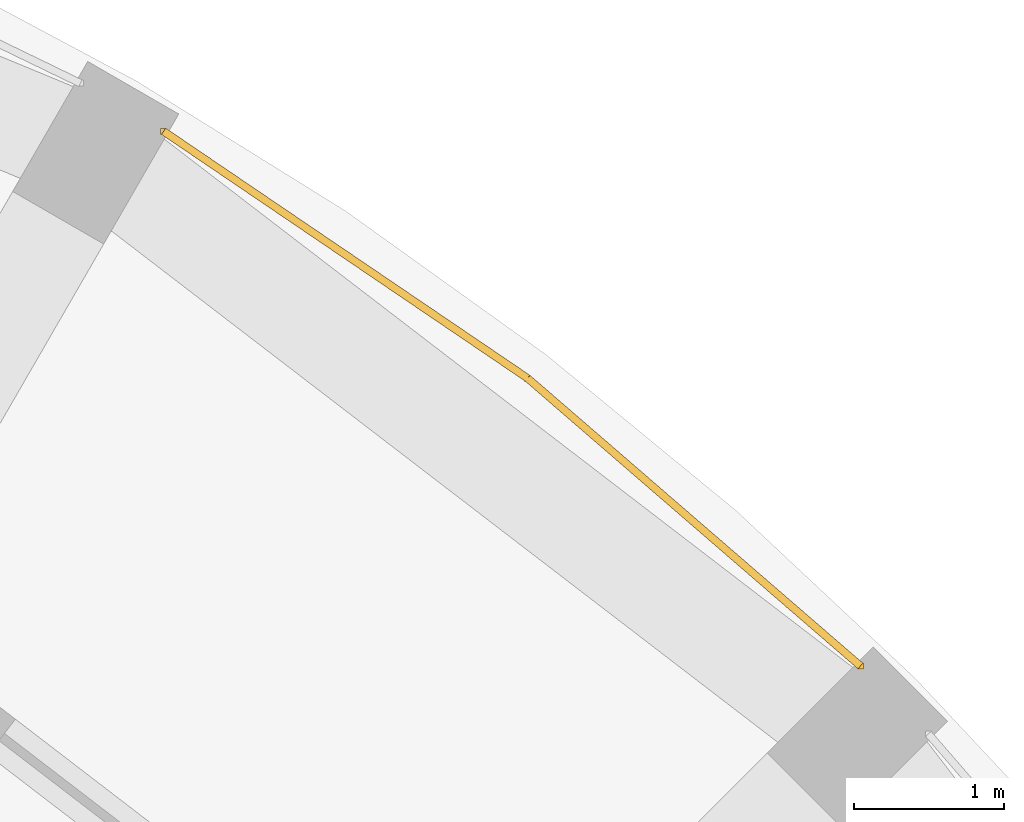
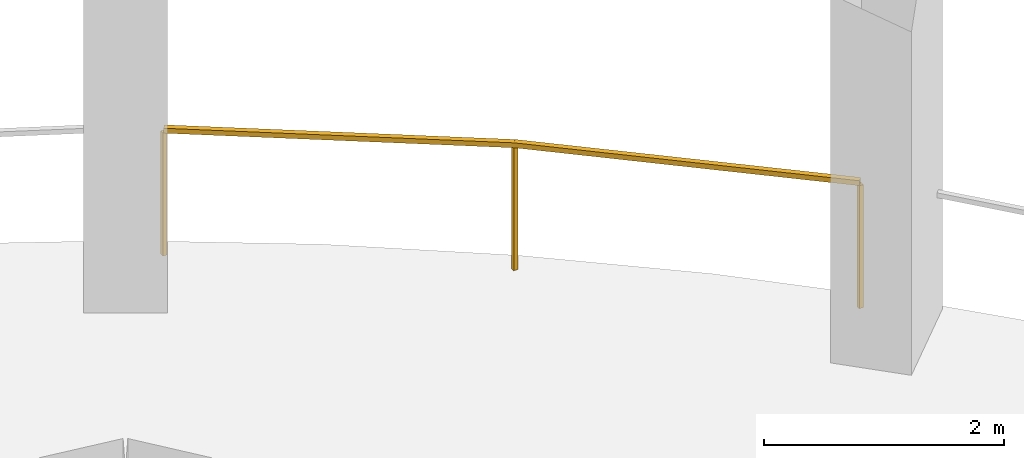
# One storey, part 8 of 8: 1 railing.
"""IFC4 building model written with IfcOpenShell, lengths in metres."""

from ifc_helpers import new_model, si_unit, direction, frame, origin, origin_2d, place, context, subcontext, project, spatial, rectangle, extrude, material, type_object, element, save


model = new_model("IFC4")

# Units and contexts
model_context = context("Model", 3, precision=1e-05, world=origin(), true_north=direction((0.0, 1.0)))
body_context = subcontext(model_context, "Body", "Model", "MODEL_VIEW")
ifc_project = project(units=[si_unit("LENGTHUNIT", "METRE"), si_unit("AREAUNIT", "SQUARE_METRE"), si_unit("VOLUMEUNIT", "CUBIC_METRE"), si_unit("PLANEANGLEUNIT", "RADIAN"), si_unit("MASSUNIT", "GRAM", prefix="KILO")], contexts=[model_context])

# Site, building, storey
site_placement = place(None, origin())
site = spatial("IfcSite", under=ifc_project, at=site_placement, CompositionType="ELEMENT")
building_placement = place(site_placement, origin())
building = spatial("IfcBuilding", under=site, at=building_placement, Name="Torre Triforio", CompositionType="ELEMENT")
storey_placement = place(building_placement, frame((0.0, 0.0, 142.800048828125)))
storey = spatial("IfcBuildingStorey", under=building, at=storey_placement, Name="L32", CompositionType="ELEMENT", Elevation=142.800048828125)

# Railing
ifc_material = material(Name="Stainless steel AISI 316", Category="steel")
railing_type = type_object("IfcRailingType", Name="Loggia guard 1300", PredefinedType="GUARDRAIL", material=ifc_material)
railing_placement = place(storey_placement, frame((17.34521484375, 17.7978515625, 0.0)))
element("IfcRailing", 1, at=railing_placement, inside=storey, type_object=railing_type, Name="Loggia guard L32 bay 04", PredefinedType="GUARDRAIL", context=body_context, shape_type="SweptSolid", body=[
    extrude(rectangle(XDim=0.050048828125, YDim=0.050048828125, at=origin_2d()), frame((0.0, 0.0, 1.27490234375), z_axis=(-0.756510170049, 0.653981928353, 0.0), x_axis=(-0.653981928353, -0.756510170049, 0.0)), (0.0, 0.0, 1.0), 2.93115234375),
    extrude(rectangle(XDim=0.050048828125, YDim=0.050048828125, at=origin_2d()), frame((-2.217529296875, 1.9169921875, 1.27490234375), z_axis=(-0.827499269821, 0.561466791934, 0.0), x_axis=(-0.561466791934, -0.827499269821, 0.0)), (0.0, 0.0, 1.0), 2.93115234375),
    extrude(rectangle(XDim=0.0400390625, YDim=0.0400390625, at=origin_2d()), origin(), (0.0, 0.0, 1.0), 1.25),
    extrude(rectangle(XDim=0.0400390625, YDim=0.0400390625, at=origin_2d()), frame((-2.217529296875, 1.9169921875, 0.0)), (0.0, 0.0, 1.0), 1.25),
    extrude(rectangle(XDim=0.0400390625, YDim=0.0400390625, at=origin_2d()), frame((-4.64306640625, 3.562744140625, 0.0)), (0.0, 0.0, 1.0), 1.25),
])

save(model, "model.ifc")
